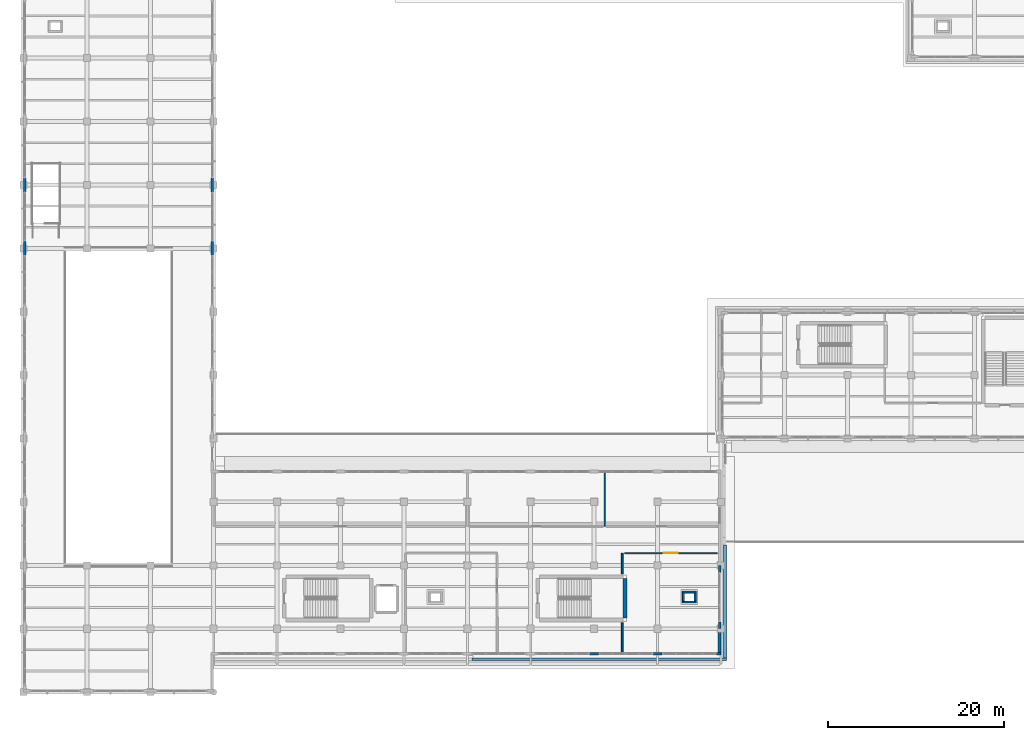
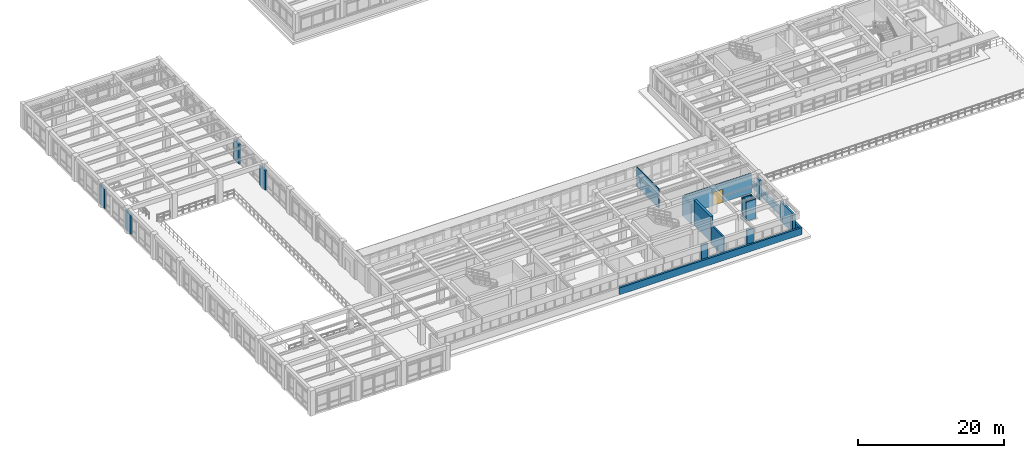
# One storey, part 48 of 67: 21 walls, 1 door, 1 opening.
"""IFC4 building model written with IfcOpenShell, lengths in metres."""

from ifc_helpers import new_model, si_unit, direction, frame, frame_2d, origin, place, context, subcontext, project, spatial, rectangle, extrude, material, layer, layer_set, type_object, element, fill, save


model = new_model("IFC4")

# Units and contexts
model_context = context("Model", 3, precision=1e-05, world=origin(), true_north=direction((0.0, 1.0)))
body_context = subcontext(model_context, "Body", "Model", "MODEL_VIEW")
ifc_project = project(units=[si_unit("LENGTHUNIT", "METRE"), si_unit("AREAUNIT", "SQUARE_METRE"), si_unit("VOLUMEUNIT", "CUBIC_METRE"), si_unit("PLANEANGLEUNIT", "RADIAN"), si_unit("MASSUNIT", "GRAM", prefix="KILO")], contexts=[model_context])

# Site, building, storey
site_placement = place(None, origin())
site = spatial("IfcSite", under=ifc_project, at=site_placement, CompositionType="ELEMENT")
building_placement = place(site_placement, origin())
building = spatial("IfcBuilding", under=site, at=building_placement, Name="Solenvale Faculty of Natural Sciences", CompositionType="ELEMENT")
storey_placement = place(building_placement, frame((0.0, 0.0, 13.5)))
storey = spatial("IfcBuildingStorey", under=building, at=storey_placement, Name="L03", CompositionType="ELEMENT", Elevation=13.5)

# Walls
ifc_material_1 = material(Name="Architectural bronze concrete 40 MPa", Category="concrete")
ifc_layer_1 = layer(ifc_material_1, 0.300048828125)
ifc_layer_set_1 = layer_set([ifc_layer_1], Name="Architectural bronze concrete 40 MPa")
wall_type_1 = type_object("IfcWallType", Name="WL-EXT-BRZ-300", PredefinedType="STANDARD", material=ifc_layer_set_1)
wall_1_placement = place(storey_placement, frame((115.669921875, 31.1298828125, 0.0), z_axis=(0.0, 0.0, 1.0), x_axis=(0.0, -1.0, 0.0)))
element("IfcWall", 1, at=wall_1_placement, inside=storey, type_object=wall_type_1, Name="L03 Sliding-Tray Rough Bronze Concrete Band 1", PredefinedType="PARAPET", context=body_context, shape_type="SweptSolid", body=[
    extrude(rectangle(XDim=12.845947265625, YDim=0.300048828125, at=frame_2d((6.4228515625, 0.0))), origin(), (0.0, 0.0, 1.0), 1.179931640625),
])
wall_2_placement = place(storey_placement, frame((115.820068359375, 18.134033203125, 0.0), z_axis=(0.0, 0.0, 1.0), x_axis=(-0.999999989693, -0.000143577442, 0.0)))
element("IfcWall", 2, at=wall_2_placement, inside=storey, type_object=wall_type_1, Name="L03 Sliding-Tray Rough Bronze Concrete Band 2", PredefinedType="PARAPET", context=body_context, shape_type="SweptSolid", body=[
    extrude(rectangle(XDim=28.906982421875, YDim=0.300048828125, at=frame_2d((14.45361328125, 0.0))), origin(), (0.0, 0.0, 1.0), 1.179931640625),
])
ifc_layer_2 = layer(ifc_material_1, 0.324951171875)
ifc_layer_set_2 = layer_set([ifc_layer_2], Name="Architectural bronze concrete 40 MPa")
wall_type_2 = type_object("IfcWallType", Name="WL-EXT-BRZ-325", PredefinedType="STANDARD", material=ifc_layer_set_2)
for number, where, z_axis, x_axis, name in (
    (3, (100.281982421875, 18.762451171875, 0.0), (0.0, 0.0, 1.0), (1.0, 0.0, 0.0), "L03 Facade Closure Pier 6.B6-R"),
    (4, (107.48193359375, 18.762451171875, 0.0), (0.0, 0.0, 1.0), (1.0, 0.0, 0.0), "L03 Facade Closure Pier 6.B7-R"),
):
    element("IfcWall", number, at=place(storey_placement, frame(where, z_axis=z_axis, x_axis=x_axis)), inside=storey, type_object=wall_type_2, Name=name, PredefinedType="STANDARD", context=body_context, shape_type="SweptSolid", body=[
        extrude(rectangle(XDim=1.0361328125, YDim=0.324951171875, at=frame_2d((0.51806640625, 0.0))), origin(), (0.0, 0.0, 1.0), 3.260009765625),
    ])
wall_3_placement = place(storey_placement, frame((114.681884765625, 18.762451171875, 0.0), z_axis=(0.0, 0.0, 1.0), x_axis=(1.0, 0.0, 0.0)))
element("IfcWall", 5, at=wall_3_placement, inside=storey, type_object=wall_type_2, Name="L03 Facade Closure Pier 6.B8-R", PredefinedType="STANDARD", context=body_context, shape_type="SweptSolid", body=[
    extrude(rectangle(XDim=0.51806640625, YDim=0.324951171875, at=frame_2d((0.259033203125, 0.0))), origin(), (0.0, 0.0, 1.0), 3.260009765625),
])
ifc_material_2 = material(Name="Precast concrete 40 MPa", Category="concrete")
ifc_layer_3 = layer(ifc_material_2, 0.284912109375)
ifc_layer_set_3 = layer_set([ifc_layer_3], Name="Precast concrete 40 MPa")
wall_type_3 = type_object("IfcWallType", Name="WL-EXT-PRC-285", PredefinedType="STANDARD", material=ifc_layer_set_3)
wall_4_placement = place(storey_placement, frame((57.45751953125, 64.011962890625, 0.0), z_axis=(0.0, 0.0, 1.0), x_axis=(0.0, 1.0, 0.0)))
element("IfcWall", 6, at=wall_4_placement, inside=storey, type_object=wall_type_3, Name="L03 Facade Closure Pier 1.B4-R", PredefinedType="STANDARD", context=body_context, shape_type="SweptSolid", body=[
    extrude(rectangle(XDim=1.575927734375, YDim=0.284912109375, at=frame_2d((0.7880859375, 0.0))), origin(), (0.0, 0.0, 1.0), 3.260009765625),
])
for number, where, z_axis, x_axis, name in (
    (7, (57.45751953125, 71.2119140625, 0.0), (0.0, 0.0, 1.0), (0.0, 1.0, 0.0), "L03 Facade Closure Pier 1.B5-R"),
    (8, (36.142578125, 72.7880859375, 0.0), (0.0, 0.0, 1.0), (0.0, -1.0, 0.0), "L03 Facade Closure Pier 3.B3-R"),
):
    element("IfcWall", number, at=place(storey_placement, frame(where, z_axis=z_axis, x_axis=x_axis)), inside=storey, type_object=wall_type_3, Name=name, PredefinedType="STANDARD", context=body_context, shape_type="SweptSolid", body=[
        extrude(rectangle(XDim=1.576171875, YDim=0.284912109375, at=frame_2d((0.7880859375, 0.0))), origin(), (0.0, 0.0, 1.0), 3.260009765625),
    ])
wall_5_placement = place(storey_placement, frame((36.142578125, 65.587890625, 0.0), z_axis=(0.0, 0.0, 1.0), x_axis=(0.0, -1.0, 0.0)))
element("IfcWall", 9, at=wall_5_placement, inside=storey, type_object=wall_type_3, Name="L03 Facade Closure Pier 3.B4-R", PredefinedType="STANDARD", context=body_context, shape_type="SweptSolid", body=[
    extrude(rectangle(XDim=1.575927734375, YDim=0.284912109375, at=frame_2d((0.7880859375, 0.0))), origin(), (0.0, 0.0, 1.0), 3.260009765625),
])
wall_6_placement = place(storey_placement, frame((115.0576171875, 21.60009765625, 0.0), z_axis=(0.0, 0.0, 1.0), x_axis=(0.0, 1.0, 0.0)))
element("IfcWall", 10, at=wall_6_placement, inside=storey, type_object=wall_type_3, Name="L03 Facade Closure Pier 7.B2-L", PredefinedType="STANDARD", context=body_context, shape_type="SweptSolid", body=[
    extrude(rectangle(XDim=0.787841796875, YDim=0.284912109375, at=frame_2d((0.39404296875, 0.0))), origin(), (0.0, 0.0, 1.0), 3.260009765625),
])
wall_7_placement = place(storey_placement, frame((115.0576171875, 28.011962890625, 0.0), z_axis=(0.0, 0.0, 1.0), x_axis=(0.0, 1.0, 0.0)))
element("IfcWall", 11, at=wall_7_placement, inside=storey, type_object=wall_type_3, Name="L03 Facade Closure Pier 7.B2-R", PredefinedType="STANDARD", context=body_context, shape_type="SweptSolid", body=[
    extrude(rectangle(XDim=0.7880859375, YDim=0.284912109375, at=frame_2d((0.39404296875, 0.0))), origin(), (0.0, 0.0, 1.0), 3.260009765625),
])
ifc_layer_4 = layer(ifc_material_2, 0.330078125)
ifc_layer_set_4 = layer_set([ifc_layer_4], Name="Precast concrete 40 MPa")
wall_type_4 = type_object("IfcWallType", Name="WL-EXT-PRC-330", PredefinedType="STANDARD", material=ifc_layer_set_4)
wall_8_placement = place(storey_placement, frame((115.034912109375, 21.60009765625, 0.0), z_axis=(0.0, 0.0, 1.0), x_axis=(0.0, -1.0, 0.0)))
element("IfcWall", 12, at=wall_8_placement, inside=storey, type_object=wall_type_4, Name="L03 Exterior Wall 7.1", PredefinedType="STANDARD", context=body_context, shape_type="SweptSolid", body=[
    extrude(rectangle(XDim=2.675048828125, YDim=0.330078125, at=frame_2d((1.33740234375, 0.0))), origin(), (0.0, 0.0, 1.0), 3.260009765625),
])
ifc_material_3 = material(Name="Gypsum fire-rated laboratory partition")
ifc_layer_5 = layer(ifc_material_3, 0.2119140625)
ifc_layer_set_5 = layer_set([ifc_layer_5], Name="Gypsum fire-rated laboratory partition")
wall_type_5 = type_object("IfcWallType", Name="WL-LAB-212", PredefinedType="PARTITIONING", material=ifc_layer_set_5)
wall_9_placement = place(storey_placement, frame((104.0, 18.802001953125, 0.0), z_axis=(0.0, 0.0, 1.0), x_axis=(0.0, 1.0, 0.0)))
element("IfcWall", 13, at=wall_9_placement, inside=storey, type_object=wall_type_5, Name="L03 Inorganic Chemistry Laboratory Partition 3", PredefinedType="PARTITIONING", context=body_context, shape_type="SweptSolid", body=[
    extrude(rectangle(XDim=3.469970703125, YDim=0.2119140625, at=frame_2d((1.73486328125, 0.0))), origin(), (0.0, 0.0, 1.0), 3.260009765625),
])
wall_10_placement = place(storey_placement, frame((104.0, 27.827880859375, 0.0), z_axis=(0.0, 0.0, 1.0), x_axis=(0.0, 1.0, 0.0)))
element("IfcWall", 14, at=wall_10_placement, inside=storey, type_object=wall_type_5, Name="L03 Inorganic Chemistry Laboratory Partition 39", PredefinedType="PARTITIONING", context=body_context, shape_type="SweptSolid", body=[
    extrude(rectangle(XDim=2.35205078125, YDim=0.2119140625, at=frame_2d((1.176025390625, 0.0))), origin(), (0.0, 0.0, 1.0), 3.260009765625),
])

# Wall, opening, door
wall_11_placement = place(storey_placement, frame((104.22412109375, 30.179931640625, 0.0), z_axis=(0.0, 0.0, 1.0), x_axis=(1.0, 0.0, 0.0)))
wall_11 = element("IfcWall", 15, at=wall_11_placement, inside=storey, type_object=wall_type_5, Name="L03 Inorganic Chemistry Laboratory Partition 40", PredefinedType="PARTITIONING", context=body_context, shape_type="SweptSolid", body=[
    extrude(rectangle(XDim=10.572998046875, YDim=0.2119140625, at=frame_2d((5.28662109375, 0.0))), origin(), (0.0, 0.0, 1.0), 3.260009765625),
])
opening_placement = place(wall_11_placement, frame((4.510986328125, 0.0, 0.0)))
opening = element("IfcOpeningElement", 16, at=opening_placement, cuts=wall_11, Name="Opening D-L03-04", PredefinedType="OPENING", context=body_context, shape_type="SweptSolid", body=[
    extrude(rectangle(XDim=1.550048828125, YDim=2.199951171875, at=frame_2d((0.77490234375, 1.10009765625))), frame((0.0, 0.115966796875, 0.0), z_axis=(0.0, -1.0, 0.0), x_axis=(1.0, 0.0, 0.0)), (0.0, 0.0, 1.0), 0.23193359375),
])
ifc_material_4 = material(Name="Oak acoustic timber leaf", Category="wood")
door_type = type_object("IfcDoorType", Name="DR-LAB-1550x2200", OperationType="NOTDEFINED", PredefinedType="DOOR", material=ifc_material_4)
door_placement = place(opening_placement, origin())
door = element("IfcDoor", 17, at=door_placement, inside=storey, type_object=door_type, Name="L03 Inorganic Chemistry Laboratory Door", OperationType="SINGLE_SWING_RIGHT", OverallHeight=2.199951171875, OverallWidth=1.550048828125, PredefinedType="DOOR", context=body_context, shape_type="SweptSolid", body=[
    extrude(rectangle(XDim=1.550048828125, YDim=2.199951171875, at=frame_2d((0.77490234375, 1.10009765625))), frame((0.0, 0.02490234375, 0.0), z_axis=(0.0, -1.0, 0.0), x_axis=(1.0, 0.0, 0.0)), (0.0, 0.0, 1.0), 0.050048828125),
])
fill(opening, door)

# Walls
ifc_material_5 = material(Name="Acoustic stud gypsum partition")
ifc_layer_6 = layer(ifc_material_5, 0.139892578125)
ifc_layer_set_6 = layer_set([ifc_layer_6], Name="Acoustic stud gypsum partition")
wall_type_6 = type_object("IfcWallType", Name="WL-OFF-140", PredefinedType="PARTITIONING", material=ifc_layer_set_6)
wall_12_placement = place(storey_placement, frame((102.0, 39.39794921875, 0.0), z_axis=(0.0, 0.0, 1.0), x_axis=(0.0, -1.0, 0.0)))
element("IfcWall", 18, at=wall_12_placement, inside=storey, type_object=wall_type_6, Name="L03 Graduate Research Office Partition 3", PredefinedType="PARTITIONING", context=body_context, shape_type="SweptSolid", body=[
    extrude(rectangle(XDim=6.177978515625, YDim=0.139892578125, at=frame_2d((3.0888671875, 0.0))), origin(), (0.0, 0.0, 1.0), 3.260009765625),
])
ifc_material_6 = material(Name="Concrete 40 MPa", Category="concrete")
ifc_layer_7 = layer(ifc_material_6, 0.219970703125)
ifc_layer_set_7 = layer_set([ifc_layer_7], Name="Concrete 40 MPa")
wall_type_7 = type_object("IfcWallType", Name="WL-SHF-220", PredefinedType="STANDARD", material=ifc_layer_set_7)
for number, where, z_axis, x_axis, name in (
    (19, (110.830078125, 24.639892578125, 0.0), (0.0, 0.0, 1.0), (1.0, 0.0, 0.0), "L03 Service Riser Shaft 3 Wall S"),
    (20, (110.830078125, 25.760009765625, 0.0), (0.0, 0.0, 1.0), (1.0, 0.0, 0.0), "L03 Service Riser Shaft 3 Wall N"),
):
    element("IfcWall", number, at=place(storey_placement, frame(where, z_axis=z_axis, x_axis=x_axis)), inside=storey, type_object=wall_type_7, Name=name, PredefinedType="STANDARD", context=body_context, shape_type="SweptSolid", body=[
        extrude(rectangle(XDim=1.5400390625, YDim=0.219970703125, at=frame_2d((0.77001953125, 0.0))), origin(), (0.0, 0.0, 1.0), 3.260009765625),
    ])
for number, where, z_axis, x_axis, name in (
    (21, (110.93994140625, 24.75, 0.0), (0.0, 0.0, 1.0), (0.0, 1.0, 0.0), "L03 Service Riser Shaft 3 Wall W"),
    (22, (112.260009765625, 24.75, 0.0), (0.0, 0.0, 1.0), (0.0, 1.0, 0.0), "L03 Service Riser Shaft 3 Wall E"),
):
    element("IfcWall", number, at=place(storey_placement, frame(where, z_axis=z_axis, x_axis=x_axis)), inside=storey, type_object=wall_type_7, Name=name, PredefinedType="STANDARD", context=body_context, shape_type="SweptSolid", body=[
        extrude(rectangle(XDim=0.89990234375, YDim=0.219970703125, at=frame_2d((0.449951171875, 0.0))), origin(), (0.0, 0.0, 1.0), 3.260009765625),
    ])
ifc_material_7 = material(Name="Concrete 50 MPa", Category="concrete")
ifc_layer_8 = layer(ifc_material_7, 0.409912109375)
ifc_layer_set_8 = layer_set([ifc_layer_8], Name="Concrete 50 MPa")
wall_type_8 = type_object("IfcWallType", Name="WL-SHR-410", PredefinedType="SHEAR", material=ifc_layer_set_8)
wall_13_placement = place(storey_placement, frame((104.304931640625, 22.800048828125, 0.0), z_axis=(0.0, 0.0, 1.0), x_axis=(0.0, 1.0, 0.0)))
element("IfcWall", 23, at=wall_13_placement, inside=storey, type_object=wall_type_8, Name="Core C3B L03 Shear Wall E", PredefinedType="SHEAR", context=body_context, shape_type="SweptSolid", body=[
    extrude(rectangle(XDim=4.5, YDim=0.409912109375, at=frame_2d((2.25, 0.0))), origin(), (0.0, 0.0, 1.0), 4.219970703125),
])

save(model, "model.ifc")
